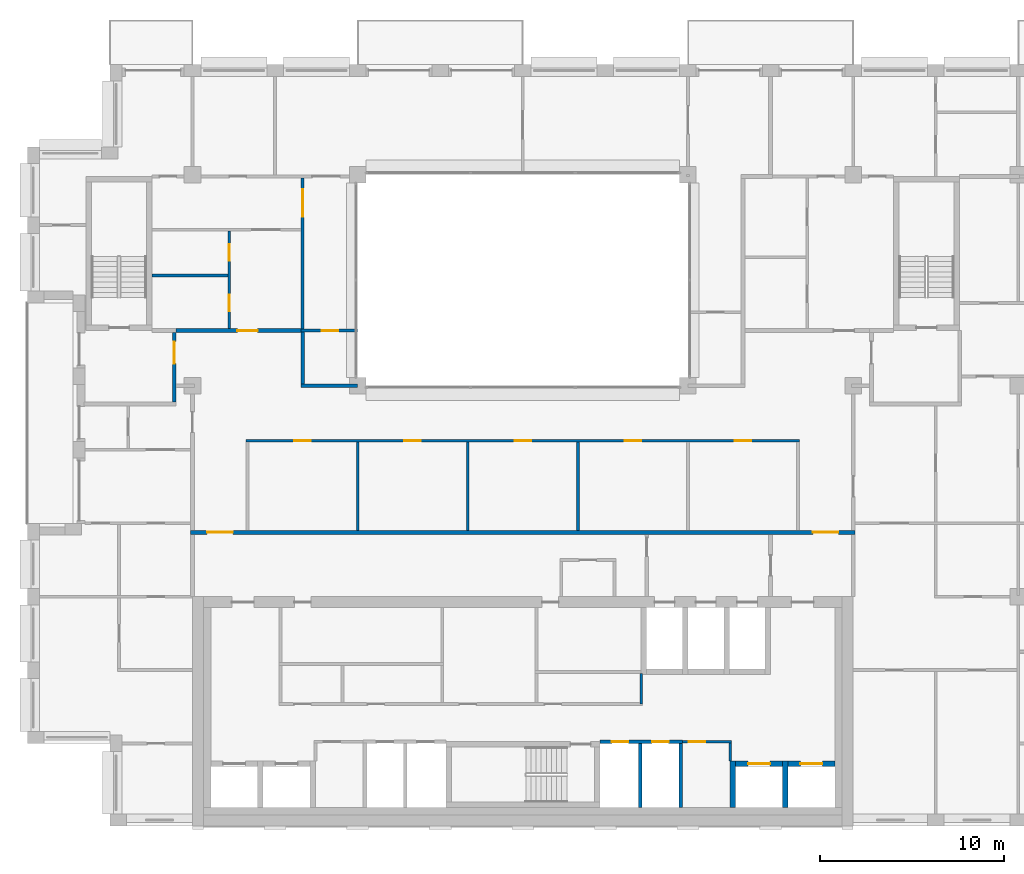
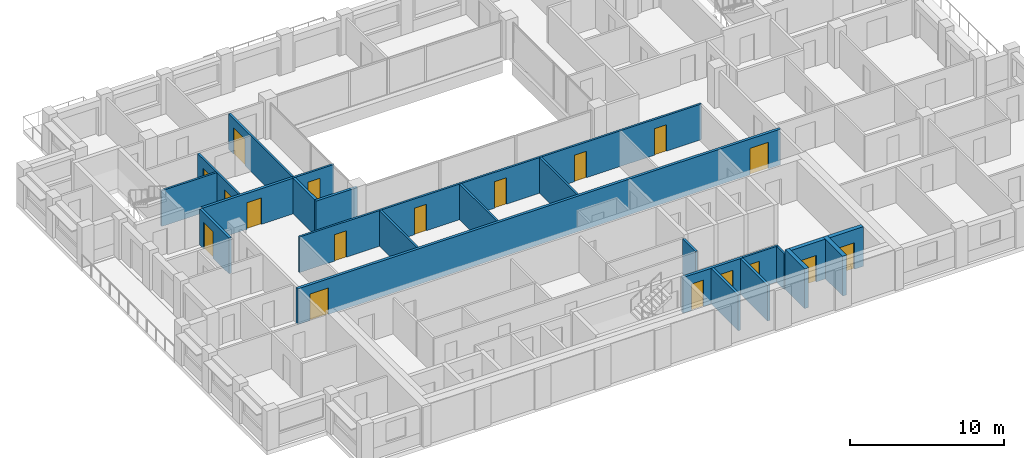
# One storey, part 10 of 16: 23 walls, 18 doors, 18 openings.
"""IFC4 building model written with IfcOpenShell, lengths in metres."""

from ifc_helpers import new_model, si_unit, direction, frame, frame_2d, origin, place, context, subcontext, project, spatial, rectangle, extrude, material, layer, layer_set, type_object, element, fill, save


model = new_model("IFC4")

# Units and contexts
model_context = context("Model", 3, precision=1e-05, world=origin(), true_north=direction((0.0, 1.0)))
body_context = subcontext(model_context, "Body", "Model", "MODEL_VIEW")
ifc_project = project(units=[si_unit("LENGTHUNIT", "METRE"), si_unit("AREAUNIT", "SQUARE_METRE"), si_unit("VOLUMEUNIT", "CUBIC_METRE"), si_unit("PLANEANGLEUNIT", "RADIAN"), si_unit("MASSUNIT", "GRAM", prefix="KILO")], contexts=[model_context])

# Site, building, storey
site_placement = place(None, origin())
site = spatial("IfcSite", under=ifc_project, at=site_placement, CompositionType="ELEMENT")
building_placement = place(site_placement, origin())
building = spatial("IfcBuilding", under=site, at=building_placement, Name="Brigalow Station Residences", CompositionType="ELEMENT")
storey_placement = place(building_placement, frame((0.0, 0.0, 204.300048828125)))
storey = spatial("IfcBuildingStorey", under=building, at=storey_placement, Name="L58", CompositionType="ELEMENT", Elevation=204.300048828125)

# Wall, opening, door
ifc_material_1 = material(Name="Concrete C50", Category="concrete")
ifc_layer_1 = layer(ifc_material_1, 0.300048828125)
ifc_layer_set_1 = layer_set([ifc_layer_1], Name="CORE SHEAR WALL 300 C50")
wall_type_1 = type_object("IfcWallType", Name="CORE SHEAR WALL 300 C50", PredefinedType="SHEAR", material=ifc_layer_set_1)
wall_1_placement = place(storey_placement, frame((47.60009765625, 3.39990234375, 0.0), z_axis=(0.0, 0.0, 1.0), x_axis=(1.0, 0.0, 0.0)))
wall_1 = element("IfcWall", 1, at=wall_1_placement, inside=storey, type_object=wall_type_1, Name="CORE WALL SH-C3-N L58", PredefinedType="SHEAR", context=body_context, shape_type="SweptSolid", body=[
    extrude(rectangle(XDim=2.5498046875, YDim=0.300048828125, at=frame_2d((1.27490234375, 0.0))), origin(), (0.0, 0.0, 1.0), 3.14990234375),
])
opening_1_placement = place(wall_1_placement, frame((0.675048828125, 0.0, 0.0)))
opening_1 = element("IfcOpeningElement", 2, at=opening_1_placement, cuts=wall_1, Name="Opening LD-LB3", PredefinedType="OPENING", context=body_context, shape_type="SweptSolid", body=[
    extrude(rectangle(XDim=1.199951171875, YDim=2.10009765625, at=frame_2d((0.60009765625, 1.050048828125))), frame((0.0, 0.16015625, 0.0), z_axis=(0.0, -1.0, 0.0), x_axis=(1.0, 0.0, 0.0)), (0.0, 0.0, 1.0), 0.320068359375),
])
ifc_material_2 = material(Name="Stainless steel sliding door leaves", Category="steel")
door_type_1 = type_object("IfcDoorType", Name="LIFT LANDING DOOR 1200 x 2100", OperationType="DOUBLE_DOOR_SLIDING", PredefinedType="DOOR", material=ifc_material_2)
door_1_placement = place(opening_1_placement, origin())
door_1 = element("IfcDoor", 3, at=door_1_placement, inside=storey, type_object=door_type_1, Name="LANDING DOOR LB3", OperationType="DOUBLE_DOOR_SLIDING", OverallHeight=2.10009765625, OverallWidth=1.199951171875, PredefinedType="DOOR", context=body_context, shape_type="SweptSolid", body=[
    extrude(rectangle(XDim=1.199951171875, YDim=2.10009765625, at=frame_2d((0.60009765625, 1.050048828125))), frame((0.0, 0.02490234375, 0.0), z_axis=(0.0, -1.0, 0.0), x_axis=(1.0, 0.0, 0.0)), (0.0, 0.0, 1.0), 0.050048828125),
])
fill(opening_1, door_1)

# Wall
wall_2_placement = place(storey_placement, frame((47.449951171875, 1.0, 0.0), z_axis=(0.0, 0.0, 1.0), x_axis=(0.0, 1.0, 0.0)))
element("IfcWall", 4, at=wall_2_placement, inside=storey, type_object=wall_type_1, Name="CORE WALL SH-C3-W L58", PredefinedType="SHEAR", context=body_context, shape_type="SweptSolid", body=[
    extrude(rectangle(XDim=2.550048828125, YDim=0.300048828125, at=frame_2d((1.27490234375, 0.0))), origin(), (0.0, 0.0, 1.0), 3.14990234375),
])

# Wall, opening, door
wall_3_placement = place(storey_placement, frame((50.449951171875, 3.39990234375, 0.0), z_axis=(0.0, 0.0, 1.0), x_axis=(1.0, 0.0, 0.0)))
wall_3 = element("IfcWall", 5, at=wall_3_placement, inside=storey, type_object=wall_type_1, Name="CORE WALL SH-C4-N L58", PredefinedType="SHEAR", context=body_context, shape_type="SweptSolid", body=[
    extrude(rectangle(XDim=2.550048828125, YDim=0.300048828125, at=frame_2d((1.27490234375, 0.0))), origin(), (0.0, 0.0, 1.0), 3.14990234375),
])
opening_2_placement = place(wall_3_placement, frame((0.675048828125, 0.0, 0.0)))
opening_2 = element("IfcOpeningElement", 6, at=opening_2_placement, cuts=wall_3, Name="Opening LD-LB4", PredefinedType="OPENING", context=body_context, shape_type="SweptSolid", body=[
    extrude(rectangle(XDim=1.199951171875, YDim=2.10009765625, at=frame_2d((0.60009765625, 1.050048828125))), frame((0.0, 0.16015625, 0.0), z_axis=(0.0, -1.0, 0.0), x_axis=(1.0, 0.0, 0.0)), (0.0, 0.0, 1.0), 0.320068359375),
])
door_2_placement = place(opening_2_placement, origin())
door_2 = element("IfcDoor", 7, at=door_2_placement, inside=storey, type_object=door_type_1, Name="LANDING DOOR LB4", OperationType="DOUBLE_DOOR_SLIDING", OverallHeight=2.10009765625, OverallWidth=1.199951171875, PredefinedType="DOOR", context=body_context, shape_type="SweptSolid", body=[
    extrude(rectangle(XDim=1.199951171875, YDim=2.10009765625, at=frame_2d((0.60009765625, 1.050048828125))), frame((0.0, 0.02490234375, 0.0), z_axis=(0.0, -1.0, 0.0), x_axis=(1.0, 0.0, 0.0)), (0.0, 0.0, 1.0), 0.050048828125),
])
fill(opening_2, door_2)

# Wall
wall_4_placement = place(storey_placement, frame((50.300048828125, 1.0, 0.0), z_axis=(0.0, 0.0, 1.0), x_axis=(0.0, 1.0, 0.0)))
element("IfcWall", 8, at=wall_4_placement, inside=storey, type_object=wall_type_1, Name="CORE WALL SH-C4-W L58", PredefinedType="SHEAR", context=body_context, shape_type="SweptSolid", body=[
    extrude(rectangle(XDim=2.550048828125, YDim=0.300048828125, at=frame_2d((1.27490234375, 0.0))), origin(), (0.0, 0.0, 1.0), 3.14990234375),
])

# Wall, openings, doors
ifc_material_3 = material(Name="Concrete blockwork", Category="masonry")
ifc_layer_2 = layer(ifc_material_3, 0.199951171875)
ifc_layer_set_2 = layer_set([ifc_layer_2], Name="FIRE RATED CORE PARTITION 200")
wall_type_2 = type_object("IfcWallType", Name="FIRE RATED CORE PARTITION 200", PredefinedType="PARTITIONING", material=ifc_layer_set_2)
wall_5_placement = place(storey_placement, frame((40.199951171875, 4.60009765625, 0.0), z_axis=(0.0, 0.0, 1.0), x_axis=(1.0, 0.0, 0.0)))
wall_5 = element("IfcWall", 9, at=wall_5_placement, inside=storey, type_object=wall_type_2, Name="PW-5018", PredefinedType="PARTITIONING", context=body_context, shape_type="SweptSolid", body=[
    extrude(rectangle(XDim=4.5, YDim=0.199951171875, at=frame_2d((2.25, 0.0))), origin(), (0.0, 0.0, 1.0), 2.829833984375),
])
opening_3_placement = place(wall_5_placement, frame((0.64990234375, 0.0, 0.0)))
opening_3 = element("IfcOpeningElement", 10, at=opening_3_placement, cuts=wall_5, Name="Opening D-5009", PredefinedType="OPENING", context=body_context, shape_type="SweptSolid", body=[
    extrude(rectangle(XDim=0.89990234375, YDim=2.10009765625, at=frame_2d((0.449951171875, 1.050048828125))), frame((0.0, 0.10986328125, 0.0), z_axis=(0.0, -1.0, 0.0), x_axis=(1.0, 0.0, 0.0)), (0.0, 0.0, 1.0), 0.219970703125),
])
opening_4_placement = place(wall_5_placement, frame((2.85009765625, 0.0, 0.0)))
opening_4 = element("IfcOpeningElement", 11, at=opening_4_placement, cuts=wall_5, Name="Opening D-5010", PredefinedType="OPENING", context=body_context, shape_type="SweptSolid", body=[
    extrude(rectangle(XDim=0.89990234375, YDim=2.10009765625, at=frame_2d((0.449951171875, 1.050048828125))), frame((0.0, 0.10986328125, 0.0), z_axis=(0.0, -1.0, 0.0), x_axis=(1.0, 0.0, 0.0)), (0.0, 0.0, 1.0), 0.219970703125),
])
ifc_material_4 = material(Name="Steel fire door leaf in steel frame", Category="steel")
door_type_2 = type_object("IfcDoorType", Name="RISER ACCESS DOOR 900 x 2100 FD120", OperationType="SINGLE_SWING_LEFT", PredefinedType="DOOR", material=ifc_material_4)
door_3_placement = place(opening_3_placement, frame((0.89990234375, 0.0, 0.0), z_axis=(0.0, 0.0, 1.0), x_axis=(-1.0, 0.0, 0.0)))
door_3 = element("IfcDoor", 12, at=door_3_placement, inside=storey, type_object=door_type_2, Name="D-5009", OperationType="SINGLE_SWING_LEFT", OverallHeight=2.10009765625, OverallWidth=0.89990234375, PredefinedType="DOOR", context=body_context, shape_type="SweptSolid", body=[
    extrude(rectangle(XDim=0.89990234375, YDim=2.10009765625, at=frame_2d((0.449951171875, 1.050048828125))), frame((0.0, 0.02490234375, 0.0), z_axis=(0.0, -1.0, 0.0), x_axis=(1.0, 0.0, 0.0)), (0.0, 0.0, 1.0), 0.050048828125),
])
fill(opening_3, door_3)
door_4_placement = place(opening_4_placement, frame((0.89990234375, 0.0, 0.0), z_axis=(0.0, 0.0, 1.0), x_axis=(-1.0, 0.0, 0.0)))
door_4 = element("IfcDoor", 13, at=door_4_placement, inside=storey, type_object=door_type_2, Name="D-5010", OperationType="SINGLE_SWING_LEFT", OverallHeight=2.10009765625, OverallWidth=0.89990234375, PredefinedType="DOOR", context=body_context, shape_type="SweptSolid", body=[
    extrude(rectangle(XDim=0.89990234375, YDim=2.10009765625, at=frame_2d((0.449951171875, 1.050048828125))), frame((0.0, 0.02490234375, 0.0), z_axis=(0.0, -1.0, 0.0), x_axis=(1.0, 0.0, 0.0)), (0.0, 0.0, 1.0), 0.050048828125),
])
fill(opening_4, door_4)

# Walls
for number, where, z_axis, x_axis, name in (
    (14, (42.39990234375, 1.0, 0.0), (0.0, 0.0, 1.0), (0.0, 1.0, 0.0), "PW-5007"),
    (15, (44.60009765625, 1.0, 0.0), (0.0, 0.0, 1.0), (0.0, 1.0, 0.0), "PW-5008"),
):
    element("IfcWall", number, at=place(storey_placement, frame(where, z_axis=z_axis, x_axis=x_axis)), inside=storey, type_object=wall_type_2, Name=name, PredefinedType="PARTITIONING", context=body_context, shape_type="SweptSolid", body=[
        extrude(rectangle(XDim=3.5, YDim=0.199951171875, at=frame_2d((1.75, 0.0))), origin(), (0.0, 0.0, 1.0), 2.829833984375),
    ])

# Wall, opening, door
wall_6_placement = place(storey_placement, frame((17.0, 23.10009765625, 0.0), z_axis=(0.0, 0.0, 1.0), x_axis=(0.0, 1.0, 0.0)))
wall_6 = element("IfcWall", 16, at=wall_6_placement, inside=storey, type_object=wall_type_2, Name="PW-5035", PredefinedType="PARTITIONING", context=body_context, shape_type="SweptSolid", body=[
    extrude(rectangle(XDim=3.7998046875, YDim=0.199951171875, at=frame_2d((1.89990234375, 0.0))), origin(), (0.0, 0.0, 1.0), 2.829833984375),
])
opening_5_placement = place(wall_6_placement, frame((2.10009765625, 0.0, 0.0)))
opening_5 = element("IfcOpeningElement", 17, at=opening_5_placement, cuts=wall_6, Name="Opening D-5016", PredefinedType="OPENING", context=body_context, shape_type="SweptSolid", body=[
    extrude(rectangle(XDim=1.199951171875, YDim=2.10009765625, at=frame_2d((0.60009765625, 1.050048828125))), frame((0.0, 0.10986328125, 0.0), z_axis=(0.0, -1.0, 0.0), x_axis=(1.0, 0.0, 0.0)), (0.0, 0.0, 1.0), 0.219970703125),
])
ifc_material_5 = material(Name="Steel fire door leaf in steel frame", Category="steel")
door_type_3 = type_object("IfcDoorType", Name="STAIR LOBBY DOOR 1200 x 2100 FD60S", OperationType="SINGLE_SWING_LEFT", PredefinedType="DOOR", material=ifc_material_5)
door_5_placement = place(opening_5_placement, origin())
door_5 = element("IfcDoor", 18, at=door_5_placement, inside=storey, type_object=door_type_3, Name="D-5016", OperationType="SINGLE_SWING_RIGHT", OverallHeight=2.10009765625, OverallWidth=1.199951171875, PredefinedType="DOOR", context=body_context, shape_type="SweptSolid", body=[
    extrude(rectangle(XDim=1.199951171875, YDim=2.10009765625, at=frame_2d((0.60009765625, 1.050048828125))), frame((0.0, 0.02490234375, 0.0), z_axis=(0.0, -1.0, 0.0), x_axis=(1.0, 0.0, 0.0)), (0.0, 0.0, 1.0), 0.050048828125),
])
fill(opening_5, door_5)

# Wall, openings, doors
ifc_material_6 = material(Name="Plasterboard on steel stud partition", Category="steel")
ifc_layer_3 = layer(ifc_material_6, 0.14990234375)
ifc_layer_set_3 = layer_set([ifc_layer_3], Name="FLAT PARTITION 150")
wall_type_3 = type_object("IfcWallType", Name="FLAT PARTITION 150", PredefinedType="PARTITIONING", material=ifc_layer_set_3)
wall_7_placement = place(storey_placement, frame((20.925048828125, 21.0, 0.0), z_axis=(0.0, 0.0, 1.0), x_axis=(1.0, 0.0, 0.0)))
wall_7 = element("IfcWall", 19, at=wall_7_placement, inside=storey, type_object=wall_type_3, Name="PW-4A05", PredefinedType="PARTITIONING", context=body_context, shape_type="SweptSolid", body=[
    extrude(rectangle(XDim=30.14990234375, YDim=0.14990234375, at=frame_2d((15.074951171875, 0.0))), origin(), (0.0, 0.0, 1.0), 2.829833984375),
])
opening_6_placement = place(wall_7_placement, frame((2.625, 0.0, 0.0)))
opening_6 = element("IfcOpeningElement", 20, at=opening_6_placement, cuts=wall_7, Name="Opening D-4A47", PredefinedType="OPENING", context=body_context, shape_type="SweptSolid", body=[
    extrude(rectangle(XDim=0.89990234375, YDim=2.10009765625, at=frame_2d((0.449951171875, 1.050048828125))), frame((0.0, 0.0849609375, 0.0), z_axis=(0.0, -1.0, 0.0), x_axis=(1.0, 0.0, 0.0)), (0.0, 0.0, 1.0), 0.169921875),
])
opening_7_placement = place(wall_7_placement, frame((8.625, 0.0, 0.0)))
opening_7 = element("IfcOpeningElement", 21, at=opening_7_placement, cuts=wall_7, Name="Opening D-4A48", PredefinedType="OPENING", context=body_context, shape_type="SweptSolid", body=[
    extrude(rectangle(XDim=0.89990234375, YDim=2.10009765625, at=frame_2d((0.449951171875, 1.050048828125))), frame((0.0, 0.0849609375, 0.0), z_axis=(0.0, -1.0, 0.0), x_axis=(1.0, 0.0, 0.0)), (0.0, 0.0, 1.0), 0.169921875),
])
opening_8_placement = place(wall_7_placement, frame((14.625, 0.0, 0.0)))
opening_8 = element("IfcOpeningElement", 22, at=opening_8_placement, cuts=wall_7, Name="Opening D-4A49", PredefinedType="OPENING", context=body_context, shape_type="SweptSolid", body=[
    extrude(rectangle(XDim=0.89990234375, YDim=2.10009765625, at=frame_2d((0.449951171875, 1.050048828125))), frame((0.0, 0.0849609375, 0.0), z_axis=(0.0, -1.0, 0.0), x_axis=(1.0, 0.0, 0.0)), (0.0, 0.0, 1.0), 0.169921875),
])
opening_9_placement = place(wall_7_placement, frame((20.625, 0.0, 0.0)))
opening_9 = element("IfcOpeningElement", 23, at=opening_9_placement, cuts=wall_7, Name="Opening D-4A50", PredefinedType="OPENING", context=body_context, shape_type="SweptSolid", body=[
    extrude(rectangle(XDim=0.89990234375, YDim=2.10009765625, at=frame_2d((0.449951171875, 1.050048828125))), frame((0.0, 0.0849609375, 0.0), z_axis=(0.0, -1.0, 0.0), x_axis=(1.0, 0.0, 0.0)), (0.0, 0.0, 1.0), 0.169921875),
])
opening_10_placement = place(wall_7_placement, frame((26.625, 0.0, 0.0)))
opening_10 = element("IfcOpeningElement", 24, at=opening_10_placement, cuts=wall_7, Name="Opening D-4A51", PredefinedType="OPENING", context=body_context, shape_type="SweptSolid", body=[
    extrude(rectangle(XDim=0.89990234375, YDim=2.10009765625, at=frame_2d((0.449951171875, 1.050048828125))), frame((0.0, 0.0849609375, 0.0), z_axis=(0.0, -1.0, 0.0), x_axis=(1.0, 0.0, 0.0)), (0.0, 0.0, 1.0), 0.169921875),
])
ifc_material_7 = material(Name="Solid-core timber door leaf", Category="wood")
door_type_4 = type_object("IfcDoorType", Name="INTERNAL DOOR 900 x 2100", OperationType="SINGLE_SWING_LEFT", PredefinedType="DOOR", material=ifc_material_7)
door_6_placement = place(opening_6_placement, frame((0.89990234375, 0.0, 0.0), z_axis=(0.0, 0.0, 1.0), x_axis=(-1.0, 0.0, 0.0)))
door_6 = element("IfcDoor", 25, at=door_6_placement, inside=storey, type_object=door_type_4, Name="D-4A47", OperationType="SINGLE_SWING_RIGHT", OverallHeight=2.10009765625, OverallWidth=0.89990234375, PredefinedType="DOOR", context=body_context, shape_type="SweptSolid", body=[
    extrude(rectangle(XDim=0.89990234375, YDim=2.10009765625, at=frame_2d((0.449951171875, 1.050048828125))), frame((0.0, 0.02490234375, 0.0), z_axis=(0.0, -1.0, 0.0), x_axis=(1.0, 0.0, 0.0)), (0.0, 0.0, 1.0), 0.050048828125),
])
fill(opening_6, door_6)
door_7_placement = place(opening_7_placement, frame((0.89990234375, 0.0, 0.0), z_axis=(0.0, 0.0, 1.0), x_axis=(-1.0, 0.0, 0.0)))
door_7 = element("IfcDoor", 26, at=door_7_placement, inside=storey, type_object=door_type_4, Name="D-4A48", OperationType="SINGLE_SWING_LEFT", OverallHeight=2.10009765625, OverallWidth=0.89990234375, PredefinedType="DOOR", context=body_context, shape_type="SweptSolid", body=[
    extrude(rectangle(XDim=0.89990234375, YDim=2.10009765625, at=frame_2d((0.449951171875, 1.050048828125))), frame((0.0, 0.02490234375, 0.0), z_axis=(0.0, -1.0, 0.0), x_axis=(1.0, 0.0, 0.0)), (0.0, 0.0, 1.0), 0.050048828125),
])
fill(opening_7, door_7)
door_8_placement = place(opening_8_placement, frame((0.89990234375, 0.0, 0.0), z_axis=(0.0, 0.0, 1.0), x_axis=(-1.0, 0.0, 0.0)))
door_8 = element("IfcDoor", 27, at=door_8_placement, inside=storey, type_object=door_type_4, Name="D-4A49", OperationType="SINGLE_SWING_LEFT", OverallHeight=2.10009765625, OverallWidth=0.89990234375, PredefinedType="DOOR", context=body_context, shape_type="SweptSolid", body=[
    extrude(rectangle(XDim=0.89990234375, YDim=2.10009765625, at=frame_2d((0.449951171875, 1.050048828125))), frame((0.0, 0.02490234375, 0.0), z_axis=(0.0, -1.0, 0.0), x_axis=(1.0, 0.0, 0.0)), (0.0, 0.0, 1.0), 0.050048828125),
])
fill(opening_8, door_8)
door_9_placement = place(opening_9_placement, frame((0.89990234375, 0.0, 0.0), z_axis=(0.0, 0.0, 1.0), x_axis=(-1.0, 0.0, 0.0)))
door_9 = element("IfcDoor", 28, at=door_9_placement, inside=storey, type_object=door_type_4, Name="D-4A50", OperationType="SINGLE_SWING_RIGHT", OverallHeight=2.10009765625, OverallWidth=0.89990234375, PredefinedType="DOOR", context=body_context, shape_type="SweptSolid", body=[
    extrude(rectangle(XDim=0.89990234375, YDim=2.10009765625, at=frame_2d((0.449951171875, 1.050048828125))), frame((0.0, 0.02490234375, 0.0), z_axis=(0.0, -1.0, 0.0), x_axis=(1.0, 0.0, 0.0)), (0.0, 0.0, 1.0), 0.050048828125),
])
fill(opening_9, door_9)
door_10_placement = place(opening_10_placement, frame((0.89990234375, 0.0, 0.0), z_axis=(0.0, 0.0, 1.0), x_axis=(-1.0, 0.0, 0.0)))
door_10 = element("IfcDoor", 29, at=door_10_placement, inside=storey, type_object=door_type_4, Name="D-4A51", OperationType="SINGLE_SWING_LEFT", OverallHeight=2.10009765625, OverallWidth=0.89990234375, PredefinedType="DOOR", context=body_context, shape_type="SweptSolid", body=[
    extrude(rectangle(XDim=0.89990234375, YDim=2.10009765625, at=frame_2d((0.449951171875, 1.050048828125))), frame((0.0, 0.02490234375, 0.0), z_axis=(0.0, -1.0, 0.0), x_axis=(1.0, 0.0, 0.0)), (0.0, 0.0, 1.0), 0.050048828125),
])
fill(opening_10, door_10)

# Wall, opening, door
wall_8_placement = place(storey_placement, frame((23.925048828125, 27.0, 0.0), z_axis=(0.0, 0.0, 1.0), x_axis=(1.0, 0.0, 0.0)))
wall_8 = element("IfcWall", 30, at=wall_8_placement, inside=storey, type_object=wall_type_3, Name="PW-4A06", PredefinedType="PARTITIONING", context=body_context, shape_type="SweptSolid", body=[
    extrude(rectangle(XDim=3.074951171875, YDim=0.14990234375, at=frame_2d((1.53759765625, 0.0))), origin(), (0.0, 0.0, 1.0), 2.829833984375),
])
opening_11_placement = place(wall_8_placement, frame((1.125, 0.0, 0.0)))
opening_11 = element("IfcOpeningElement", 31, at=opening_11_placement, cuts=wall_8, Name="Opening D-4A16", PredefinedType="OPENING", context=body_context, shape_type="SweptSolid", body=[
    extrude(rectangle(XDim=0.89990234375, YDim=2.10009765625, at=frame_2d((0.449951171875, 1.050048828125))), frame((0.0, 0.0849609375, 0.0), z_axis=(0.0, -1.0, 0.0), x_axis=(1.0, 0.0, 0.0)), (0.0, 0.0, 1.0), 0.169921875),
])
door_11_placement = place(opening_11_placement, frame((0.89990234375, 0.0, 0.0), z_axis=(0.0, 0.0, 1.0), x_axis=(-1.0, 0.0, 0.0)))
door_11 = element("IfcDoor", 32, at=door_11_placement, inside=storey, type_object=door_type_4, Name="D-4A16", OperationType="SINGLE_SWING_RIGHT", OverallHeight=2.10009765625, OverallWidth=0.89990234375, PredefinedType="DOOR", context=body_context, shape_type="SweptSolid", body=[
    extrude(rectangle(XDim=0.89990234375, YDim=2.10009765625, at=frame_2d((0.449951171875, 1.050048828125))), frame((0.0, 0.02490234375, 0.0), z_axis=(0.0, -1.0, 0.0), x_axis=(1.0, 0.0, 0.0)), (0.0, 0.0, 1.0), 0.050048828125),
])
fill(opening_11, door_11)

# Wall
wall_9_placement = place(storey_placement, frame((15.800048828125, 30.0, 0.0), z_axis=(0.0, 0.0, 1.0), x_axis=(1.0, 0.0, 0.0)))
element("IfcWall", 33, at=wall_9_placement, inside=storey, type_object=wall_type_3, Name="PW-4A19", PredefinedType="PARTITIONING", context=body_context, shape_type="SweptSolid", body=[
    extrude(rectangle(XDim=4.125, YDim=0.14990234375, at=frame_2d((2.0625, 0.0))), origin(), (0.0, 0.0, 1.0), 2.829833984375),
])

# Wall, opening, door
wall_10_placement = place(storey_placement, frame((24.0, 27.074951171875, 0.0), z_axis=(0.0, 0.0, 1.0), x_axis=(0.0, 1.0, 0.0)))
wall_10 = element("IfcWall", 34, at=wall_10_placement, inside=storey, type_object=wall_type_3, Name="PW-4A39", PredefinedType="PARTITIONING", context=body_context, shape_type="SweptSolid", body=[
    extrude(rectangle(XDim=8.25, YDim=0.14990234375, at=frame_2d((4.125, 0.0))), origin(), (0.0, 0.0, 1.0), 2.829833984375),
])
opening_12_placement = place(wall_10_placement, frame((6.125, 0.0, 0.0)))
opening_12 = element("IfcOpeningElement", 35, at=opening_12_placement, cuts=wall_10, Name="Opening D-4A15", PredefinedType="OPENING", context=body_context, shape_type="SweptSolid", body=[
    extrude(rectangle(XDim=1.5, YDim=2.10009765625, at=frame_2d((0.75, 1.050048828125))), frame((0.0, 0.0849609375, 0.0), z_axis=(0.0, -1.0, 0.0), x_axis=(1.0, 0.0, 0.0)), (0.0, 0.0, 1.0), 0.169921875),
])
ifc_material_8 = material(Name="Solid-core timber door leaf", Category="wood")
door_type_5 = type_object("IfcDoorType", Name="INTERNAL DOUBLE DOOR 1500 x 2100", OperationType="DOUBLE_DOOR_SINGLE_SWING", PredefinedType="DOOR", material=ifc_material_8)
door_12_placement = place(opening_12_placement, origin())
door_12 = element("IfcDoor", 36, at=door_12_placement, inside=storey, type_object=door_type_5, Name="D-4A15", OperationType="DOUBLE_DOOR_SINGLE_SWING", OverallHeight=2.10009765625, OverallWidth=1.5, PredefinedType="DOOR", context=body_context, shape_type="SweptSolid", body=[
    extrude(rectangle(XDim=1.5, YDim=2.10009765625, at=frame_2d((0.75, 1.050048828125))), frame((0.0, 0.02490234375, 0.0), z_axis=(0.0, -1.0, 0.0), x_axis=(1.0, 0.0, 0.0)), (0.0, 0.0, 1.0), 0.050048828125),
])
fill(opening_12, door_12)

# Wall, openings, doors
wall_11_placement = place(storey_placement, frame((20.0, 27.10009765625, 0.0), z_axis=(0.0, 0.0, 1.0), x_axis=(0.0, 1.0, 0.0)))
wall_11 = element("IfcWall", 37, at=wall_11_placement, inside=storey, type_object=wall_type_3, Name="PW-4A45", PredefinedType="PARTITIONING", context=body_context, shape_type="SweptSolid", body=[
    extrude(rectangle(XDim=5.324951171875, YDim=0.14990234375, at=frame_2d((2.66259765625, 0.0))), origin(), (0.0, 0.0, 1.0), 2.829833984375),
])
opening_13_placement = place(wall_11_placement, frame((0.949951171875, 0.0, 0.0)))
opening_13 = element("IfcOpeningElement", 38, at=opening_13_placement, cuts=wall_11, Name="Opening D-4A12", PredefinedType="OPENING", context=body_context, shape_type="SweptSolid", body=[
    extrude(rectangle(XDim=0.89990234375, YDim=2.10009765625, at=frame_2d((0.449951171875, 1.050048828125))), frame((0.0, 0.0849609375, 0.0), z_axis=(0.0, -1.0, 0.0), x_axis=(1.0, 0.0, 0.0)), (0.0, 0.0, 1.0), 0.169921875),
])
opening_14_placement = place(wall_11_placement, frame((3.699951171875, 0.0, 0.0)))
opening_14 = element("IfcOpeningElement", 39, at=opening_14_placement, cuts=wall_11, Name="Opening D-4A13", PredefinedType="OPENING", context=body_context, shape_type="SweptSolid", body=[
    extrude(rectangle(XDim=0.89990234375, YDim=2.10009765625, at=frame_2d((0.449951171875, 1.050048828125))), frame((0.0, 0.0849609375, 0.0), z_axis=(0.0, -1.0, 0.0), x_axis=(1.0, 0.0, 0.0)), (0.0, 0.0, 1.0), 0.169921875),
])
door_13_placement = place(opening_13_placement, origin())
door_13 = element("IfcDoor", 40, at=door_13_placement, inside=storey, type_object=door_type_4, Name="D-4A12", OperationType="SINGLE_SWING_LEFT", OverallHeight=2.10009765625, OverallWidth=0.89990234375, PredefinedType="DOOR", context=body_context, shape_type="SweptSolid", body=[
    extrude(rectangle(XDim=0.89990234375, YDim=2.10009765625, at=frame_2d((0.449951171875, 1.050048828125))), frame((0.0, 0.02490234375, 0.0), z_axis=(0.0, -1.0, 0.0), x_axis=(1.0, 0.0, 0.0)), (0.0, 0.0, 1.0), 0.050048828125),
])
fill(opening_13, door_13)
door_14_placement = place(opening_14_placement, origin())
door_14 = element("IfcDoor", 41, at=door_14_placement, inside=storey, type_object=door_type_4, Name="D-4A13", OperationType="SINGLE_SWING_LEFT", OverallHeight=2.10009765625, OverallWidth=0.89990234375, PredefinedType="DOOR", context=body_context, shape_type="SweptSolid", body=[
    extrude(rectangle(XDim=0.89990234375, YDim=2.10009765625, at=frame_2d((0.449951171875, 1.050048828125))), frame((0.0, 0.02490234375, 0.0), z_axis=(0.0, -1.0, 0.0), x_axis=(1.0, 0.0, 0.0)), (0.0, 0.0, 1.0), 0.050048828125),
])
fill(opening_14, door_14)

# Walls
for number, where, z_axis, x_axis, name in (
    (42, (27.0, 16.10009765625, 0.0), (0.0, 0.0, 1.0), (0.0, 1.0, 0.0), "PW-4A64"),
    (43, (33.0, 16.10009765625, 0.0), (0.0, 0.0, 1.0), (0.0, 1.0, 0.0), "PW-4A65"),
    (44, (39.0, 16.10009765625, 0.0), (0.0, 0.0, 1.0), (0.0, 1.0, 0.0), "PW-4A66"),
):
    element("IfcWall", number, at=place(storey_placement, frame(where, z_axis=z_axis, x_axis=x_axis)), inside=storey, type_object=wall_type_3, Name=name, PredefinedType="PARTITIONING", context=body_context, shape_type="SweptSolid", body=[
        extrude(rectangle(XDim=4.824951171875, YDim=0.14990234375, at=frame_2d((2.41259765625, 0.0))), origin(), (0.0, 0.0, 1.0), 2.829833984375),
    ])
ifc_material_9 = material(Name="Plasterboard on steel stud partition", Category="steel")
ifc_layer_4 = layer(ifc_material_9, 0.199951171875)
ifc_layer_set_4 = layer_set([ifc_layer_4], Name="PARTY AND CORRIDOR WALL 200")
wall_type_4 = type_object("IfcWallType", Name="PARTY AND CORRIDOR WALL 200", PredefinedType="PARTITIONING", material=ifc_layer_set_4)
wall_12_placement = place(storey_placement, frame((23.89990234375, 24.0, 0.0), z_axis=(0.0, 0.0, 1.0), x_axis=(1.0, 0.0, 0.0)))
element("IfcWall", 45, at=wall_12_placement, inside=storey, type_object=wall_type_4, Name="PW-4A02", PredefinedType="PARTITIONING", context=body_context, shape_type="SweptSolid", body=[
    extrude(rectangle(XDim=3.10009765625, YDim=0.199951171875, at=frame_2d((1.550048828125, 0.0))), origin(), (0.0, 0.0, 1.0), 2.829833984375),
])

# Wall, opening, door
wall_13_placement = place(storey_placement, frame((17.10009765625, 27.0, 0.0), z_axis=(0.0, 0.0, 1.0), x_axis=(1.0, 0.0, 0.0)))
wall_13 = element("IfcWall", 46, at=wall_13_placement, inside=storey, type_object=wall_type_4, Name="PW-4A07", PredefinedType="PARTITIONING", context=body_context, shape_type="SweptSolid", body=[
    extrude(rectangle(XDim=6.974853515625, YDim=0.199951171875, at=frame_2d((3.4873046875, 0.0))), origin(), (0.0, 0.0, 1.0), 2.829833984375),
])
opening_15_placement = place(wall_13_placement, frame((3.35009765625, 0.0, 0.0)))
opening_15 = element("IfcOpeningElement", 47, at=opening_15_placement, cuts=wall_13, Name="Opening D-4A11", PredefinedType="OPENING", context=body_context, shape_type="SweptSolid", body=[
    extrude(rectangle(XDim=1.10009765625, YDim=2.10009765625, at=frame_2d((0.550048828125, 1.050048828125))), frame((0.0, 0.10986328125, 0.0), z_axis=(0.0, -1.0, 0.0), x_axis=(1.0, 0.0, 0.0)), (0.0, 0.0, 1.0), 0.219970703125),
])
ifc_material_10 = material(Name="Solid-core timber door leaf", Category="wood")
door_type_6 = type_object("IfcDoorType", Name="FLAT ENTRANCE DOOR 1100 x 2100 FRL -/60/30", OperationType="SINGLE_SWING_LEFT", PredefinedType="DOOR", material=ifc_material_10)
door_15_placement = place(opening_15_placement, origin())
door_15 = element("IfcDoor", 48, at=door_15_placement, inside=storey, type_object=door_type_6, Name="D-4A11", OperationType="SINGLE_SWING_LEFT", OverallHeight=2.10009765625, OverallWidth=1.10009765625, PredefinedType="DOOR", context=body_context, shape_type="SweptSolid", body=[
    extrude(rectangle(XDim=1.10009765625, YDim=2.10009765625, at=frame_2d((0.550048828125, 1.050048828125))), frame((0.0, 0.02490234375, 0.0), z_axis=(0.0, -1.0, 0.0), x_axis=(1.0, 0.0, 0.0)), (0.0, 0.0, 1.0), 0.050048828125),
])
fill(opening_15, door_15)

# Wall, openings, doors
wall_14_placement = place(storey_placement, frame((17.89990234375, 16.0, 0.0), z_axis=(0.0, 0.0, 1.0), x_axis=(1.0, 0.0, 0.0)))
wall_14 = element("IfcWall", 49, at=wall_14_placement, inside=storey, type_object=wall_type_4, Name="PW-4A32", PredefinedType="PARTITIONING", context=body_context, shape_type="SweptSolid", body=[
    extrude(rectangle(XDim=36.2001953125, YDim=0.199951171875, at=frame_2d((18.10009765625, 0.0))), origin(), (0.0, 0.0, 1.0), 2.829833984375),
])
opening_16_placement = place(wall_14_placement, frame((0.89990234375, 0.0, 0.0)))
opening_16 = element("IfcOpeningElement", 50, at=opening_16_placement, cuts=wall_14, Name="Opening D-4A01", PredefinedType="OPENING", context=body_context, shape_type="SweptSolid", body=[
    extrude(rectangle(XDim=1.39990234375, YDim=2.10009765625, at=frame_2d((0.699951171875, 1.050048828125))), frame((0.0, 0.10986328125, 0.0), z_axis=(0.0, -1.0, 0.0), x_axis=(1.0, 0.0, 0.0)), (0.0, 0.0, 1.0), 0.219970703125),
])
opening_17_placement = place(wall_14_placement, frame((33.89990234375, 0.0, 0.0)))
opening_17 = element("IfcOpeningElement", 51, at=opening_17_placement, cuts=wall_14, Name="Opening D-4A02", PredefinedType="OPENING", context=body_context, shape_type="SweptSolid", body=[
    extrude(rectangle(XDim=1.39990234375, YDim=2.10009765625, at=frame_2d((0.699951171875, 1.050048828125))), frame((0.0, 0.10986328125, 0.0), z_axis=(0.0, -1.0, 0.0), x_axis=(1.0, 0.0, 0.0)), (0.0, 0.0, 1.0), 0.219970703125),
])
ifc_material_11 = material(Name="Solid-core timber door leaf", Category="wood")
door_type_7 = type_object("IfcDoorType", Name="CORRIDOR FIRE DOOR 1400 x 2100 FRL -/60/30", OperationType="DOUBLE_DOOR_SINGLE_SWING", PredefinedType="DOOR", material=ifc_material_11)
door_16_placement = place(opening_16_placement, frame((1.39990234375, 0.0, 0.0), z_axis=(0.0, 0.0, 1.0), x_axis=(-1.0, 0.0, 0.0)))
door_16 = element("IfcDoor", 52, at=door_16_placement, inside=storey, type_object=door_type_7, Name="D-4A01", OperationType="DOUBLE_DOOR_SINGLE_SWING", OverallHeight=2.10009765625, OverallWidth=1.39990234375, PredefinedType="DOOR", context=body_context, shape_type="SweptSolid", body=[
    extrude(rectangle(XDim=1.39990234375, YDim=2.10009765625, at=frame_2d((0.699951171875, 1.050048828125))), frame((0.0, 0.02490234375, 0.0), z_axis=(0.0, -1.0, 0.0), x_axis=(1.0, 0.0, 0.0)), (0.0, 0.0, 1.0), 0.050048828125),
])
fill(opening_16, door_16)
door_17_placement = place(opening_17_placement, frame((1.39990234375, 0.0, 0.0), z_axis=(0.0, 0.0, 1.0), x_axis=(-1.0, 0.0, 0.0)))
door_17 = element("IfcDoor", 53, at=door_17_placement, inside=storey, type_object=door_type_7, Name="D-4A02", OperationType="DOUBLE_DOOR_SINGLE_SWING", OverallHeight=2.10009765625, OverallWidth=1.39990234375, PredefinedType="DOOR", context=body_context, shape_type="SweptSolid", body=[
    extrude(rectangle(XDim=1.39990234375, YDim=2.10009765625, at=frame_2d((0.699951171875, 1.050048828125))), frame((0.0, 0.02490234375, 0.0), z_axis=(0.0, -1.0, 0.0), x_axis=(1.0, 0.0, 0.0)), (0.0, 0.0, 1.0), 0.050048828125),
])
fill(opening_17, door_17)

# Wall
wall_15_placement = place(storey_placement, frame((24.0, 24.10009765625, 0.0), z_axis=(0.0, 0.0, 1.0), x_axis=(0.0, 1.0, 0.0)))
element("IfcWall", 54, at=wall_15_placement, inside=storey, type_object=wall_type_4, Name="PW-4A40", PredefinedType="PARTITIONING", context=body_context, shape_type="SweptSolid", body=[
    extrude(rectangle(XDim=2.824951171875, YDim=0.199951171875, at=frame_2d((1.41259765625, 0.0))), origin(), (0.0, 0.0, 1.0), 2.829833984375),
])

# Wall, opening, door
ifc_material_12 = material(Name="Plasterboard on steel studs", Category="steel")
ifc_layer_5 = layer(ifc_material_12, 0.14990234375)
ifc_layer_set_5 = layer_set([ifc_layer_5], Name="SERVICE ROOM PARTITION 150")
wall_type_5 = type_object("IfcWallType", Name="SERVICE ROOM PARTITION 150", PredefinedType="PARTITIONING", material=ifc_layer_set_5)
wall_16_placement = place(storey_placement, frame((44.699951171875, 4.60009765625, 0.0), z_axis=(0.0, 0.0, 1.0), x_axis=(1.0, 0.0, 0.0)))
wall_16 = element("IfcWall", 55, at=wall_16_placement, inside=storey, type_object=wall_type_5, Name="PW-5156", PredefinedType="PARTITIONING", context=body_context, shape_type="SweptSolid", body=[
    extrude(rectangle(XDim=2.675048828125, YDim=0.14990234375, at=frame_2d((1.33740234375, 0.0))), origin(), (0.0, 0.0, 1.0), 2.829833984375),
])
opening_18_placement = place(wall_16_placement, frame((0.35009765625, 0.0, 0.0)))
opening_18 = element("IfcOpeningElement", 56, at=opening_18_placement, cuts=wall_16, Name="Opening D-5026", PredefinedType="OPENING", context=body_context, shape_type="SweptSolid", body=[
    extrude(rectangle(XDim=0.89990234375, YDim=2.10009765625, at=frame_2d((0.449951171875, 1.050048828125))), frame((0.0, 0.0849609375, 0.0), z_axis=(0.0, -1.0, 0.0), x_axis=(1.0, 0.0, 0.0)), (0.0, 0.0, 1.0), 0.169921875),
])
ifc_material_13 = material(Name="Steel door leaf in steel frame", Category="steel")
door_type_8 = type_object("IfcDoorType", Name="SERVICE ROOM DOOR 900 x 2100 FD60", OperationType="SINGLE_SWING_LEFT", PredefinedType="DOOR", material=ifc_material_13)
door_18_placement = place(opening_18_placement, frame((0.89990234375, 0.0, 0.0), z_axis=(0.0, 0.0, 1.0), x_axis=(-1.0, 0.0, 0.0)))
door_18 = element("IfcDoor", 57, at=door_18_placement, inside=storey, type_object=door_type_8, Name="D-5026", OperationType="SINGLE_SWING_RIGHT", OverallHeight=2.10009765625, OverallWidth=0.89990234375, PredefinedType="DOOR", context=body_context, shape_type="SweptSolid", body=[
    extrude(rectangle(XDim=0.89990234375, YDim=2.10009765625, at=frame_2d((0.449951171875, 1.050048828125))), frame((0.0, 0.02490234375, 0.0), z_axis=(0.0, -1.0, 0.0), x_axis=(1.0, 0.0, 0.0)), (0.0, 0.0, 1.0), 0.050048828125),
])
fill(opening_18, door_18)

# Walls
wall_17_placement = place(storey_placement, frame((47.300048828125, 3.550048828125, 0.0), z_axis=(0.0, 0.0, 1.0), x_axis=(0.0, 1.0, 0.0)))
element("IfcWall", 58, at=wall_17_placement, inside=storey, type_object=wall_type_5, Name="PW-5158", PredefinedType="PARTITIONING", context=body_context, shape_type="SweptSolid", body=[
    extrude(rectangle(XDim=0.974853515625, YDim=0.14990234375, at=frame_2d((0.4873046875, 0.0))), origin(), (0.0, 0.0, 1.0), 2.829833984375),
])
wall_18_placement = place(storey_placement, frame((42.449951171875, 6.64990234375, 0.0), z_axis=(0.0, 0.0, 1.0), x_axis=(0.0, 1.0, 0.0)))
element("IfcWall", 59, at=wall_18_placement, inside=storey, type_object=wall_type_5, Name="PW-5206", PredefinedType="PARTITIONING", context=body_context, shape_type="SweptSolid", body=[
    extrude(rectangle(XDim=1.675048828125, YDim=0.14990234375, at=frame_2d((0.83740234375, 0.0))), origin(), (0.0, 0.0, 1.0), 2.829833984375),
])

save(model, "model.ifc")
